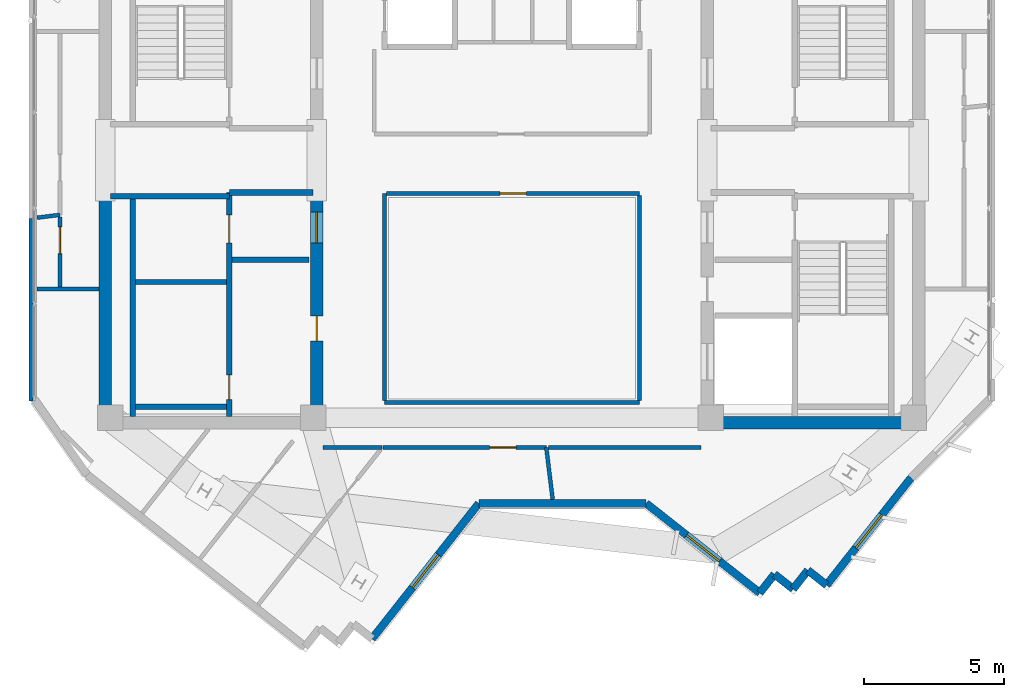
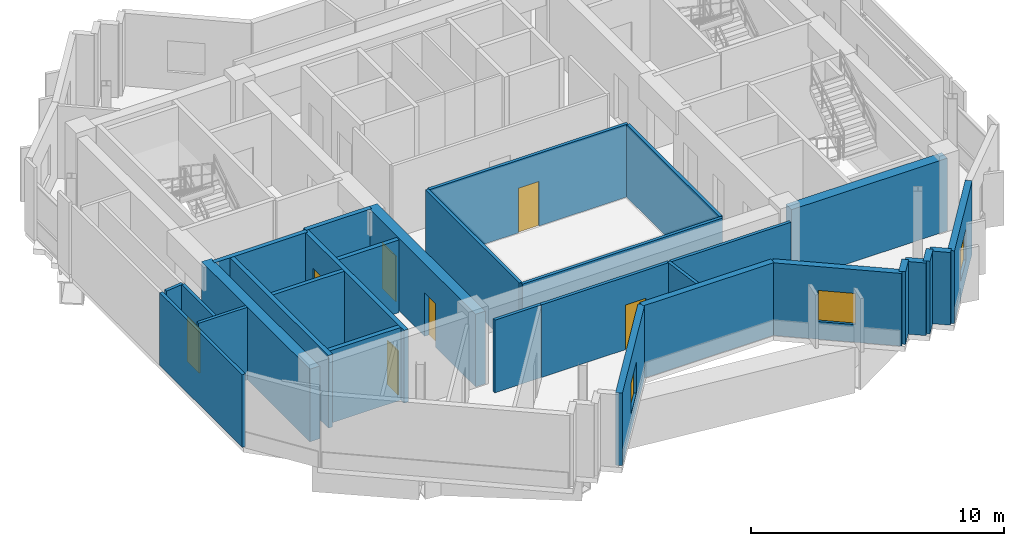
# One storey, part 5 of 10: 30 walls, 7 doors, 3 windows, 10 openings.
"""IFC4 building model written with IfcOpenShell, lengths in metres."""

import ifcopenshell
import ifcopenshell.guid

model = None  # the IFC model being written
_history = None  # IfcOwnerHistory: only IFC2X3 demands one
_inside = {}  # id of a spatial element -> (the spatial element, [elements in it])
_under = {}  # id of a project, library or spatial element -> (it, [spatial elements below it])
_declared = {}  # id of a project -> (the project, [libraries it declares])
_typed = {}  # id of a type object -> (the type object, [elements of that type])
_made_of = {}  # id of a material, layer set ... -> (it, [elements and type objects made of it])


def new_model(schema):
    """Start an empty IFC model of exactly this schema.

    Asked for "IFC4X3", IfcOpenShell would pick the latest addendum, in which some entities
    have other attributes; the version numbers below select the first issue.
    IFC2X3 requires an IfcOwnerHistory on every rooted entity: one is made here for all.
    """
    global model, _history
    if schema == "IFC4X3":
        model = ifcopenshell.file(schema_version=(4, 3, 0, 0))
    else:
        model = ifcopenshell.file(schema=schema)
    _inside.clear()
    _under.clear()
    _declared.clear()
    _typed.clear()
    _made_of.clear()
    _history = None
    if model.schema == "IFC2X3":
        org = make("IfcOrganization", Name="unknown")
        user = make(
            "IfcPersonAndOrganization",
            ThePerson=make("IfcPerson", FamilyName="unknown"),
            TheOrganization=org,
        )
        app = make(
            "IfcApplication",
            ApplicationDeveloper=org,
            Version="unknown",
            ApplicationFullName="unknown",
            ApplicationIdentifier="unknown",
        )
        _history = make(
            "IfcOwnerHistory",
            OwningUser=user,
            OwningApplication=app,
            ChangeAction="ADDED",
            CreationDate=0,
        )
    return model


def make(cls, **values):
    """One entity of the class cls with the attributes given. An attribute that is None is left unset."""
    return model.create_entity(
        cls, **{name: value for name, value in values.items() if value is not None}
    )


def rooted(cls, **values):
    """An entity with a GlobalId (a new one), such as an element, a storey or a relation."""
    return make(cls, GlobalId=ifcopenshell.guid.new(), OwnerHistory=_history, **values)


def si_unit(unit_type, name, prefix=None):
    """IfcSIUnit, for example si_unit("LENGTHUNIT", "METRE", prefix="MILLI")."""
    return make("IfcSIUnit", UnitType=unit_type, Prefix=prefix, Name=name)


def assignment(units):
    """IfcUnitAssignment: the units of a project."""
    return None if units is None else make("IfcUnitAssignment", Units=units)


def point(xyz):
    """IfcCartesianPoint."""
    return None if xyz is None else make("IfcCartesianPoint", Coordinates=xyz)


def direction(xyz):
    """IfcDirection."""
    return None if xyz is None else make("IfcDirection", DirectionRatios=xyz)


def frame(location, z_axis=None, x_axis=None):
    """IfcAxis2Placement3D, a coordinate frame: its origin and axes. An axis left out is left unset."""
    return make(
        "IfcAxis2Placement3D",
        Location=point(location),
        Axis=direction(z_axis),
        RefDirection=direction(x_axis),
    )


def frame_2d(location, x_axis=None):
    """IfcAxis2Placement2D, a coordinate frame in the plane: its origin and x axis."""
    return make(
        "IfcAxis2Placement2D", Location=point(location), RefDirection=direction(x_axis)
    )


def origin():
    """The frame at (0, 0, 0) with its axes left unset."""
    return frame((0.0, 0.0, 0.0))


def place(relative_to, where):
    """IfcLocalPlacement: puts the frame where relative to a parent placement (None: the world)."""
    return make(
        "IfcLocalPlacement", PlacementRelTo=relative_to, RelativePlacement=where
    )


def context(
    kind, dimensions, precision=None, world=None, true_north=None, identifier=None
):
    """IfcGeometricRepresentationContext, for example the 3D "Model" context."""
    return make(
        "IfcGeometricRepresentationContext",
        ContextIdentifier=identifier,
        ContextType=kind,
        CoordinateSpaceDimension=dimensions,
        Precision=precision,
        WorldCoordinateSystem=world,
        TrueNorth=true_north,
    )


def subcontext(parent, identifier, kind, view, scale=None):
    """IfcGeometricRepresentationSubContext, for example "Body" below "Model"."""
    return make(
        "IfcGeometricRepresentationSubContext",
        ContextIdentifier=identifier,
        ContextType=kind,
        ParentContext=parent,
        TargetScale=scale,
        TargetView=view,
    )


def project(units=None, contexts=None):
    """IfcProject with its units and contexts."""
    return rooted(
        "IfcProject",
        Name="project",
        RepresentationContexts=contexts,
        UnitsInContext=assignment(units),
    )


def spatial(cls, under=None, at=None, **own):
    """A site, building, storey or space (cls), placed at a placement, below another one or the project."""
    s = rooted(cls, ObjectPlacement=at, **own)
    if under is not None:
        _under.setdefault(under.id(), (under, []))[1].append(s)
    return s


def profile(cls, at=None, kind="AREA", **sizes):
    """A parametric profile (cls). Its sizes go by their IFC names, for example OverallWidth=200.0."""
    return make(cls, ProfileType=kind, Position=at, **sizes)


def rectangle(**sizes):
    """IfcRectangleProfileDef."""
    return profile("IfcRectangleProfileDef", **sizes)


def extrude(swept, where, along, depth):
    """IfcExtrudedAreaSolid: the profile swept, set in the frame where, extruded along a direction by depth."""
    return make(
        "IfcExtrudedAreaSolid",
        SweptArea=swept,
        Position=where,
        ExtrudedDirection=direction(along),
        Depth=depth,
    )


def shape(context_of_items, identifier, shape_type, items):
    """IfcShapeRepresentation: the items that make up one representation, for example the "Body"."""
    return make(
        "IfcShapeRepresentation",
        ContextOfItems=context_of_items,
        RepresentationIdentifier=identifier,
        RepresentationType=shape_type,
        Items=items,
    )


def source(mapping_origin, context_of_items, identifier, shape_type, items):
    """IfcRepresentationMap: a shape defined once, which mapped items show again and again."""
    return make(
        "IfcRepresentationMap",
        MappingOrigin=mapping_origin,
        MappedRepresentation=shape(context_of_items, identifier, shape_type, items),
    )


def transform(
    local_origin,
    x_axis=None,
    y_axis=None,
    z_axis=None,
    scale=None,
    scale2=None,
    scale3=None,
    uniform=True,
):
    """IfcCartesianTransformationOperator3D, or its non-uniform kind. x_axis, y_axis, z_axis: its Axis1, 2, 3."""
    if uniform:
        return make(
            "IfcCartesianTransformationOperator3D",
            Axis1=direction(x_axis),
            Axis2=direction(y_axis),
            LocalOrigin=point(local_origin),
            Scale=scale,
            Axis3=direction(z_axis),
        )
    return make(
        "IfcCartesianTransformationOperator3DnonUniform",
        Axis1=direction(x_axis),
        Axis2=direction(y_axis),
        LocalOrigin=point(local_origin),
        Scale=scale,
        Axis3=direction(z_axis),
        Scale2=scale2,
        Scale3=scale3,
    )


def mapped(mapping_source, mapping_target):
    """IfcMappedItem: shows the shape of a source again, moved by a transform."""
    return make(
        "IfcMappedItem", MappingSource=mapping_source, MappingTarget=mapping_target
    )


def material(Name=None, Category=None):
    """IfcMaterial."""
    return make("IfcMaterial", Name=Name, Category=Category)


def layer(
    of_material, thickness, ventilated=None, Name=None, Category=None, Priority=None
):
    """IfcMaterialLayer: one layer of a wall or slab, of a material (None: an air gap)."""
    return make(
        "IfcMaterialLayer",
        Material=of_material,
        LayerThickness=thickness,
        IsVentilated=ventilated,
        Name=Name,
        Category=Category,
        Priority=Priority,
    )


def layer_set(layers, Name=None):
    """IfcMaterialLayerSet."""
    return make("IfcMaterialLayerSet", MaterialLayers=layers, LayerSetName=Name)


def made_of(thing, what):
    """Note that an element or type object is made of a material, layer set ...; save() writes the relation."""
    if what is not None:
        _made_of.setdefault(what.id(), (what, []))[1].append(thing)
    return thing


def type_object(cls, material=None, **own):
    """A type object (cls), such as IfcWallType, which elements share."""
    return made_of(rooted(cls, **own), material)


def element(
    cls,
    number,
    at=None,
    inside=None,
    cuts=None,
    type_object=None,
    material=None,
    context=None,
    identifier="Body",
    shape_type=None,
    held_by="IfcProductDefinitionShape",
    body=None,
    shapes=None,
    **own,
):
    """One element of the class cls, such as IfcWall. Its Tag is "e" and its number.

    at: its placement. inside: the storey or other place that contains it. cuts: it is an
    opening in that element (IfcRelVoidsElement). A single representation is given by context,
    identifier, shape_type and body (its items); several are given by shapes. held_by: the class
    of the entity that holds the representations. save() writes the other relations.
    """
    e = rooted(cls, Tag="e%d" % number, ObjectPlacement=at, **own)
    if body is not None:
        shapes = [shape(context, identifier, shape_type, body)]
    if shapes is not None:
        e.Representation = make(held_by, Representations=shapes)
    if inside is not None:
        _inside.setdefault(inside.id(), (inside, []))[1].append(e)
    if cuts is not None:
        rooted(
            "IfcRelVoidsElement", RelatingBuildingElement=cuts, RelatedOpeningElement=e
        )
    if type_object is not None:
        _typed.setdefault(type_object.id(), (type_object, []))[1].append(e)
    return made_of(e, material)


def fill(opening, filler):
    """IfcRelFillsElement: the door or window that sits in an opening."""
    return rooted(
        "IfcRelFillsElement",
        RelatingOpeningElement=opening,
        RelatedBuildingElement=filler,
    )


def aggregate(whole, parts):
    """IfcRelAggregates: a whole, such as a stair, and the parts it consists of."""
    return rooted("IfcRelAggregates", RelatingObject=whole, RelatedObjects=parts)


def save(model, path):
    """Write the relations noted so far, then the file.

    IfcRelAggregates (storeys below a building ...), IfcRelContainedInSpatialStructure (elements
    in a storey), IfcRelDefinesByType, IfcRelAssociatesMaterial and IfcRelDeclares: one each for
    every whole, place, type object, material and project.
    """
    for whole, parts in _under.values():
        aggregate(whole, parts)
    for where, things in _inside.values():
        rooted(
            "IfcRelContainedInSpatialStructure",
            RelatedElements=things,
            RelatingStructure=where,
        )
    for kind, things in _typed.values():
        rooted("IfcRelDefinesByType", RelatedObjects=things, RelatingType=kind)
    for what, things in _made_of.values():
        rooted("IfcRelAssociatesMaterial", RelatedObjects=things, RelatingMaterial=what)
    for by, libraries in _declared.values():
        rooted("IfcRelDeclares", RelatingContext=by, RelatedDefinitions=libraries)
    model.write(path)


model = new_model("IFC4")

# Units and contexts
model_context = context("Model", 3, precision=1e-05, world=origin(), true_north=direction((0.0, 1.0)))
body_context = subcontext(model_context, "Body", "Model", "MODEL_VIEW")
ifc_project = project(units=[si_unit("LENGTHUNIT", "METRE"), si_unit("AREAUNIT", "SQUARE_METRE"), si_unit("VOLUMEUNIT", "CUBIC_METRE"), si_unit("PLANEANGLEUNIT", "RADIAN"), si_unit("MASSUNIT", "GRAM", prefix="KILO")], contexts=[model_context])

# Site, building, storey
site_placement = place(None, origin())
site = spatial("IfcSite", under=ifc_project, at=site_placement, CompositionType="ELEMENT")
building_placement = place(site_placement, origin())
building = spatial("IfcBuilding", under=site, at=building_placement, Name="Zahravan Cultural Tower", CompositionType="ELEMENT")
storey_placement = place(building_placement, frame((0.0, 0.0, 319.800048828125)))
storey = spatial("IfcBuildingStorey", under=building, at=storey_placement, Name="L77", CompositionType="ELEMENT", Elevation=319.800048828125)

# Wall, openings, doors
ifc_material_1 = material(Name="Concrete C50/60", Category="concrete")
ifc_layer_1 = layer(ifc_material_1, 0.449951171875)
ifc_layer_set_1 = layer_set([ifc_layer_1], Name="Concrete C50/60")
wall_type_1 = type_object("IfcWallType", Name="CW-SHEAR-450-C50", PredefinedType="SHEAR", material=ifc_layer_set_1)
wall_1_placement = place(storey_placement, frame((29.02490234375, 17.39990234375, 0.0), z_axis=(0.0, 0.0, 1.0), x_axis=(0.0, 1.0, 0.0)))
wall_1 = element("IfcWall", 1, at=wall_1_placement, inside=storey, type_object=wall_type_1, Name="L77 Core Shear Wall CW-W-ES-L77", PredefinedType="SHEAR", context=body_context, shape_type="SweptSolid", body=[
    extrude(rectangle(XDim=8.550048828125, YDim=0.449951171875, at=frame_2d((4.27490234375, 0.0))), origin(), (0.0, 0.0, 1.0), 3.5),
])
opening_1_placement = place(wall_1_placement, frame((6.64990234375, 0.0, 0.0)))
opening_1 = element("IfcOpeningElement", 2, at=opening_1_placement, cuts=wall_1, Name="Opening D-L77-08", PredefinedType="OPENING", context=body_context, shape_type="SweptSolid", body=[
    extrude(rectangle(XDim=1.10009765625, YDim=2.199951171875, at=frame_2d((0.550048828125, 1.10009765625))), frame((0.0, 0.23486328125, 0.0), z_axis=(0.0, -1.0, 0.0), x_axis=(1.0, 0.0, 0.0)), (0.0, 0.0, 1.0), 0.469970703125),
])
opening_2_placement = place(wall_1_placement, frame((3.14990234375, 0.0, 0.0)))
opening_2 = element("IfcOpeningElement", 3, at=opening_2_placement, cuts=wall_1, Name="Opening D-L77-10", PredefinedType="OPENING", context=body_context, shape_type="SweptSolid", body=[
    extrude(rectangle(XDim=0.8798828125, YDim=2.10009765625, at=frame_2d((0.43994140625, 1.050048828125))), frame((0.0, 0.23486328125, 0.0), z_axis=(0.0, -1.0, 0.0), x_axis=(1.0, 0.0, 0.0)), (0.0, 0.0, 1.0), 0.469970703125),
])
ifc_material_2 = material(Name="Steel ASTM A572 Grade 50", Category="steel")
door_type_1 = type_object("IfcDoorType", Name="DR-LOBBY-1100", OperationType="NOTDEFINED", PredefinedType="DOOR", material=ifc_material_2)
shared_shape_1 = source(origin(), body_context, "Body", "SweptSolid", [
    extrude(rectangle(XDim=1.10009765625, YDim=2.199951171875, at=frame_2d((0.550048828125, 1.10009765625))), frame((0.0, 0.02490234375, 0.0), z_axis=(0.0, -1.0, 0.0), x_axis=(1.0, 0.0, 0.0)), (0.0, 0.0, 1.0), 0.050048828125),
])
door_1_placement = place(opening_1_placement, origin())
door_1 = element("IfcDoor", 4, at=door_1_placement, inside=storey, type_object=door_type_1, Name="L77 Door D-L77-08", OperationType="SINGLE_SWING_RIGHT", OverallHeight=2.199951171875, OverallWidth=1.10009765625, PredefinedType="DOOR", context=body_context, shape_type="MappedRepresentation", body=[
    mapped(shared_shape_1, transform((0.0, 0.0, 0.0), x_axis=(1.0, 0.0, 0.0), y_axis=(0.0, 1.0, 0.0), z_axis=(0.0, 0.0, 1.0), scale=1.0)),
])
fill(opening_1, door_1)
door_type_2 = type_object("IfcDoorType", Name="DR-SVC-880", OperationType="NOTDEFINED", PredefinedType="DOOR", material=ifc_material_2)
shared_shape_2 = source(origin(), body_context, "Body", "SweptSolid", [
    extrude(rectangle(XDim=0.8798828125, YDim=2.10009765625, at=frame_2d((0.43994140625, 1.050048828125))), frame((0.0, 0.02490234375, 0.0), z_axis=(0.0, -1.0, 0.0), x_axis=(1.0, 0.0, 0.0)), (0.0, 0.0, 1.0), 0.050048828125),
])
door_2_placement = place(opening_2_placement, origin())
door_2 = element("IfcDoor", 5, at=door_2_placement, inside=storey, type_object=door_type_2, Name="L77 Door D-L77-10", OperationType="SINGLE_SWING_RIGHT", OverallHeight=2.10009765625, OverallWidth=0.8798828125, PredefinedType="DOOR", context=body_context, shape_type="MappedRepresentation", body=[
    mapped(shared_shape_2, transform((0.0, 0.0, 0.0), x_axis=(1.0, 0.0, 0.0), y_axis=(0.0, 1.0, 0.0), z_axis=(0.0, 0.0, 1.0), scale=1.0)),
])
fill(opening_2, door_2)

# Wall, opening, window
ifc_material_3 = material(Name="Precast concrete C40/50", Category="concrete")
ifc_layer_2 = layer(ifc_material_3, 0.280029296875)
ifc_layer_set_2 = layer_set([ifc_layer_2], Name="Precast concrete C40/50")
wall_type_2 = type_object("IfcWallType", Name="EW-TC-280", PredefinedType="SOLIDWALL", material=ifc_layer_set_2)
wall_2_placement = place(storey_placement, frame((50.257568359375, 15.655517578125, 0.0), z_axis=(0.0, 0.0, 1.0), x_axis=(-0.619093990715, -0.785316898239, 0.0)))
wall_2 = element("IfcWall", 6, at=wall_2_placement, inside=storey, type_object=wall_type_2, Name="L77 Exterior Masonry Frame Wall 17", PredefinedType="SOLIDWALL", context=body_context, shape_type="SweptSolid", body=[
    extrude(rectangle(XDim=4.877685546875, YDim=0.280029296875, at=frame_2d((2.43896484375, 0.0))), origin(), (0.0, 0.0, 1.0), 3.5),
])
opening_3_placement = place(wall_2_placement, frame((1.68896484375, 0.0, 0.85009765625)))
opening_3 = element("IfcOpeningElement", 7, at=opening_3_placement, cuts=wall_2, Name="Opening WN-03", PredefinedType="OPENING", context=body_context, shape_type="SweptSolid", body=[
    extrude(rectangle(XDim=1.5, YDim=1.5, at=frame_2d((0.75, 0.75))), frame((0.0, 0.14990234375, 0.0), z_axis=(0.0, -1.0, 0.0), x_axis=(1.0, 0.0, 0.0)), (0.0, 0.0, 1.0), 0.300048828125),
])
ifc_material_4 = material(Name="Low-E solar-control double glazing", Category="glass")
window_type = type_object("IfcWindowType", Name="WN-REC-1500X1500", PartitioningType="SINGLE_PANEL", PredefinedType="WINDOW", material=ifc_material_4)
shared_shape_3 = source(origin(), body_context, "Body", "SweptSolid", [
    extrude(rectangle(XDim=1.5, YDim=1.5, at=frame_2d((0.75, 0.75))), frame((0.0, 0.030029296875, 0.0), z_axis=(0.0, -1.0, 0.0), x_axis=(1.0, 0.0, 0.0)), (0.0, 0.0, 1.0), 0.06005859375),
])
window_1_placement = place(opening_3_placement, origin())
window_1 = element("IfcWindow", 8, at=window_1_placement, inside=storey, type_object=window_type, Name="L77 Recessed Solar Window 06", OverallHeight=1.5, OverallWidth=1.5, PartitioningType="SINGLE_PANEL", PredefinedType="WINDOW", context=body_context, shape_type="MappedRepresentation", body=[
    mapped(shared_shape_3, transform((0.0, 0.0, 0.0), x_axis=(1.0, 0.0, 0.0), y_axis=(0.0, 1.0, 0.0), z_axis=(0.0, 0.0, 1.0), scale=1.0)),
])
fill(opening_3, window_1)

wall_3_placement = place(storey_placement, frame((44.85009765625, 11.542236328125, 0.0), z_axis=(0.0, 0.0, 1.0), x_axis=(-0.78530363687, 0.61911081231, 0.0)))
wall_3 = element("IfcWall", 9, at=wall_3_placement, inside=storey, type_object=wall_type_2, Name="L77 Exterior Masonry Frame Wall 22", PredefinedType="SOLIDWALL", context=body_context, shape_type="SweptSolid", body=[
    extrude(rectangle(XDim=5.1650390625, YDim=0.280029296875, at=frame_2d((2.58251953125, 0.0))), origin(), (0.0, 0.0, 1.0), 3.5),
])
opening_4_placement = place(wall_3_placement, frame((1.8330078125, 0.0, 0.85009765625)))
opening_4 = element("IfcOpeningElement", 10, at=opening_4_placement, cuts=wall_3, Name="Opening WN-03", PredefinedType="OPENING", context=body_context, shape_type="SweptSolid", body=[
    extrude(rectangle(XDim=1.5, YDim=1.5, at=frame_2d((0.75, 0.75))), frame((0.0, 0.14990234375, 0.0), z_axis=(0.0, -1.0, 0.0), x_axis=(1.0, 0.0, 0.0)), (0.0, 0.0, 1.0), 0.300048828125),
])
window_2_placement = place(opening_4_placement, origin())
window_2 = element("IfcWindow", 11, at=window_2_placement, inside=storey, type_object=window_type, Name="L77 Recessed Solar Window 07", OverallHeight=1.5, OverallWidth=1.5, PartitioningType="SINGLE_PANEL", PredefinedType="WINDOW", context=body_context, shape_type="MappedRepresentation", body=[
    mapped(shared_shape_3, transform((0.0, 0.0, 0.0), x_axis=(1.0, 0.0, 0.0), y_axis=(0.0, 1.0, 0.0), z_axis=(0.0, 0.0, 1.0), scale=1.0)),
])
fill(opening_4, window_2)

wall_4_placement = place(storey_placement, frame((34.815673828125, 14.739990234375, 0.0), z_axis=(0.0, 0.0, 1.0), x_axis=(-0.619100474058, -0.78531178714, 0.0)))
wall_4 = element("IfcWall", 12, at=wall_4_placement, inside=storey, type_object=wall_type_2, Name="L77 Exterior Masonry Frame Wall 24", PredefinedType="SOLIDWALL", context=body_context, shape_type="SweptSolid", body=[
    extrude(rectangle(XDim=6.158935546875, YDim=0.280029296875, at=frame_2d((3.07958984375, 0.0))), origin(), (0.0, 0.0, 1.0), 3.5),
])
opening_5_placement = place(wall_4_placement, frame((2.3291015625, 0.0, 0.85009765625)))
opening_5 = element("IfcOpeningElement", 13, at=opening_5_placement, cuts=wall_4, Name="Opening WN-03", PredefinedType="OPENING", context=body_context, shape_type="SweptSolid", body=[
    extrude(rectangle(XDim=1.5, YDim=1.5, at=frame_2d((0.75, 0.75))), frame((0.0, 0.14990234375, 0.0), z_axis=(0.0, -1.0, 0.0), x_axis=(1.0, 0.0, 0.0)), (0.0, 0.0, 1.0), 0.300048828125),
])
window_3_placement = place(opening_5_placement, origin())
window_3 = element("IfcWindow", 14, at=window_3_placement, inside=storey, type_object=window_type, Name="L77 Recessed Solar Window 08", OverallHeight=1.5, OverallWidth=1.5, PartitioningType="SINGLE_PANEL", PredefinedType="WINDOW", context=body_context, shape_type="MappedRepresentation", body=[
    mapped(shared_shape_3, transform((0.0, 0.0, 0.0), x_axis=(1.0, 0.0, 0.0), y_axis=(0.0, 1.0, 0.0), z_axis=(0.0, 0.0, 1.0), scale=1.0)),
])
fill(opening_5, window_3)

# Wall, opening, door
ifc_material_5 = material(Name="Gypsum plasterboard partition")
ifc_layer_3 = layer(ifc_material_5, 0.139892578125)
ifc_layer_set_3 = layer_set([ifc_layer_3], Name="Gypsum plasterboard partition")
wall_type_3 = type_object("IfcWallType", Name="W-PART-140", PredefinedType="PARTITIONING", material=ifc_layer_set_3)
wall_5_placement = place(storey_placement, frame((19.85009765625, 24.974609375, 0.0), z_axis=(0.0, 0.0, 1.0), x_axis=(0.000379434615, -0.999999928015, 0.0)))
wall_5 = element("IfcWall", 15, at=wall_5_placement, inside=storey, type_object=wall_type_3, Name="L77 Interior Wall 064", PredefinedType="PARTITIONING", context=body_context, shape_type="SweptSolid", body=[
    extrude(rectangle(XDim=2.57373046875, YDim=0.139892578125, at=frame_2d((1.286865234375, 0.0))), origin(), (0.0, 0.0, 1.0), 3.5),
])
opening_6_placement = place(wall_5_placement, frame((0.357177734375, 0.0, 0.0)))
opening_6 = element("IfcOpeningElement", 16, at=opening_6_placement, cuts=wall_5, Name="Opening D-L77-21", PredefinedType="OPENING", context=body_context, shape_type="SweptSolid", body=[
    extrude(rectangle(XDim=0.949951171875, YDim=2.14990234375, at=frame_2d((0.47509765625, 1.074951171875))), frame((0.0, 0.079833984375, 0.0), z_axis=(0.0, -1.0, 0.0), x_axis=(1.0, 0.0, 0.0)), (0.0, 0.0, 1.0), 0.159912109375),
])
ifc_material_6 = material(Name="Anodised bronze-aluminium mullion", Category="aluminium")
door_type_3 = type_object("IfcDoorType", Name="DR-ROOM-950", OperationType="NOTDEFINED", PredefinedType="DOOR", material=ifc_material_6)
shared_shape_4 = source(origin(), body_context, "Body", "SweptSolid", [
    extrude(rectangle(XDim=0.949951171875, YDim=2.14990234375, at=frame_2d((0.47509765625, 1.074951171875))), frame((0.0, 0.02490234375, 0.0), z_axis=(0.0, -1.0, 0.0), x_axis=(1.0, 0.0, 0.0)), (0.0, 0.0, 1.0), 0.050048828125),
])
door_3_placement = place(opening_6_placement, origin())
door_3 = element("IfcDoor", 17, at=door_3_placement, inside=storey, type_object=door_type_3, Name="L77 Door D-L77-21", OperationType="SINGLE_SWING_LEFT", OverallHeight=2.14990234375, OverallWidth=0.949951171875, PredefinedType="DOOR", context=body_context, shape_type="MappedRepresentation", body=[
    mapped(shared_shape_4, transform((0.0, 0.0, 0.0), x_axis=(1.0, 0.0, 0.0), y_axis=(0.0, 1.0, 0.0), z_axis=(0.0, 0.0, 1.0), scale=1.0)),
])
fill(opening_6, door_3)

wall_6_placement = place(storey_placement, frame((31.387939453125, 16.739990234375, 0.0), z_axis=(0.0, 0.0, 1.0), x_axis=(1.0, 0.0, 0.0)))
wall_6 = element("IfcWall", 18, at=wall_6_placement, inside=storey, type_object=wall_type_3, Name="L77 Interior Wall 078", PredefinedType="PARTITIONING", context=body_context, shape_type="SweptSolid", body=[
    extrude(rectangle(XDim=5.836669921875, YDim=0.139892578125, at=frame_2d((2.91845703125, 0.0))), origin(), (0.0, 0.0, 1.0), 3.5),
])
opening_7_placement = place(wall_6_placement, frame((3.8115234375, 0.0, 0.0)))
opening_7 = element("IfcOpeningElement", 19, at=opening_7_placement, cuts=wall_6, Name="Opening D-L77-22", PredefinedType="OPENING", context=body_context, shape_type="SweptSolid", body=[
    extrude(rectangle(XDim=0.949951171875, YDim=2.14990234375, at=frame_2d((0.47509765625, 1.074951171875))), frame((0.0, 0.079833984375, 0.0), z_axis=(0.0, -1.0, 0.0), x_axis=(1.0, 0.0, 0.0)), (0.0, 0.0, 1.0), 0.159912109375),
])
door_4_placement = place(opening_7_placement, origin())
door_4 = element("IfcDoor", 20, at=door_4_placement, inside=storey, type_object=door_type_3, Name="L77 Door D-L77-22", OperationType="SINGLE_SWING_RIGHT", OverallHeight=2.14990234375, OverallWidth=0.949951171875, PredefinedType="DOOR", context=body_context, shape_type="MappedRepresentation", body=[
    mapped(shared_shape_4, transform((0.0, 0.0, 0.0), x_axis=(1.0, 0.0, 0.0), y_axis=(0.0, 1.0, 0.0), z_axis=(0.0, 0.0, 1.0), scale=1.0)),
])
fill(opening_7, door_4)

wall_7_placement = place(storey_placement, frame((31.514892578125, 25.81005859375, 0.0), z_axis=(0.0, 0.0, 1.0), x_axis=(1.0, 0.0, 0.0)))
wall_7 = element("IfcWall", 21, at=wall_7_placement, inside=storey, type_object=wall_type_3, Name="L77 Interior Wall 089", PredefinedType="PARTITIONING", context=body_context, shape_type="SweptSolid", body=[
    extrude(rectangle(XDim=9.045166015625, YDim=0.139892578125, at=frame_2d((4.5224609375, 0.0))), origin(), (0.0, 0.0, 1.0), 3.5),
])
opening_8_placement = place(wall_7_placement, frame((4.047607421875, 0.0, 0.0)))
opening_8 = element("IfcOpeningElement", 22, at=opening_8_placement, cuts=wall_7, Name="Opening D-L77-12", PredefinedType="OPENING", context=body_context, shape_type="SweptSolid", body=[
    extrude(rectangle(XDim=0.949951171875, YDim=2.14990234375, at=frame_2d((0.47509765625, 1.074951171875))), frame((0.0, 0.079833984375, 0.0), z_axis=(0.0, -1.0, 0.0), x_axis=(1.0, 0.0, 0.0)), (0.0, 0.0, 1.0), 0.159912109375),
])
door_5_placement = place(opening_8_placement, origin())
door_5 = element("IfcDoor", 23, at=door_5_placement, inside=storey, type_object=door_type_3, Name="L77 Door D-L77-12", OperationType="SINGLE_SWING_RIGHT", OverallHeight=2.14990234375, OverallWidth=0.949951171875, PredefinedType="DOOR", context=body_context, shape_type="MappedRepresentation", body=[
    mapped(shared_shape_4, transform((0.0, 0.0, 0.0), x_axis=(1.0, 0.0, 0.0), y_axis=(0.0, 1.0, 0.0), z_axis=(0.0, 0.0, 1.0), scale=1.0)),
])
fill(opening_8, door_5)

# Wall, openings, doors
ifc_material_7 = material(Name="Concrete C45/55", Category="concrete")
ifc_layer_4 = layer(ifc_material_7, 0.199951171875)
ifc_layer_set_4 = layer_set([ifc_layer_4], Name="Concrete C45/55")
wall_type_4 = type_object("IfcWallType", Name="W-SHAFT-200", PredefinedType="SOLIDWALL", material=ifc_layer_set_4)
wall_8_placement = place(storey_placement, frame((25.89990234375, 17.85009765625, 0.0), z_axis=(0.0, 0.0, 1.0), x_axis=(0.0, 1.0, 0.0)))
wall_8 = element("IfcWall", 24, at=wall_8_placement, inside=storey, type_object=wall_type_4, Name="L77 Interior Wall 005", PredefinedType="SOLIDWALL", context=body_context, shape_type="SweptSolid", body=[
    extrude(rectangle(XDim=8.0, YDim=0.199951171875, at=frame_2d((4.0, 0.0))), origin(), (0.0, 0.0, 1.0), 3.5),
])
opening_9_placement = place(wall_8_placement, frame((6.199951171875, 0.0, 0.0)))
opening_9 = element("IfcOpeningElement", 25, at=opening_9_placement, cuts=wall_8, Name="Opening D-L77-04", PredefinedType="OPENING", context=body_context, shape_type="SweptSolid", body=[
    extrude(rectangle(XDim=1.0, YDim=2.14990234375, at=frame_2d((0.5, 1.074951171875))), frame((0.0, 0.10986328125, 0.0), z_axis=(0.0, -1.0, 0.0), x_axis=(1.0, 0.0, 0.0)), (0.0, 0.0, 1.0), 0.219970703125),
])
opening_10_placement = place(wall_8_placement, frame((0.60009765625, 0.0, 0.0)))
opening_10 = element("IfcOpeningElement", 26, at=opening_10_placement, cuts=wall_8, Name="Opening D-L77-05", PredefinedType="OPENING", context=body_context, shape_type="SweptSolid", body=[
    extrude(rectangle(XDim=0.8798828125, YDim=2.10009765625, at=frame_2d((0.43994140625, 1.050048828125))), frame((0.0, 0.10986328125, 0.0), z_axis=(0.0, -1.0, 0.0), x_axis=(1.0, 0.0, 0.0)), (0.0, 0.0, 1.0), 0.219970703125),
])
door_6_placement = place(opening_10_placement, origin())
door_6 = element("IfcDoor", 27, at=door_6_placement, inside=storey, type_object=door_type_2, Name="L77 Door D-L77-05", OperationType="SINGLE_SWING_LEFT", OverallHeight=2.10009765625, OverallWidth=0.8798828125, PredefinedType="DOOR", context=body_context, shape_type="MappedRepresentation", body=[
    mapped(shared_shape_2, transform((0.0, 0.0, 0.0), x_axis=(1.0, 0.0, 0.0), y_axis=(0.0, 1.0, 0.0), z_axis=(0.0, 0.0, 1.0), scale=1.0)),
])
fill(opening_10, door_6)
door_type_4 = type_object("IfcDoorType", Name="DR-COMP-1000", OperationType="NOTDEFINED", PredefinedType="DOOR", material=ifc_material_2)
shared_shape_5 = source(origin(), body_context, "Body", "SweptSolid", [
    extrude(rectangle(XDim=1.0, YDim=2.14990234375, at=frame_2d((0.5, 1.074951171875))), frame((0.0, 0.02490234375, 0.0), z_axis=(0.0, -1.0, 0.0), x_axis=(1.0, 0.0, 0.0)), (0.0, 0.0, 1.0), 0.050048828125),
])
door_7_placement = place(opening_9_placement, origin())
door_7 = element("IfcDoor", 28, at=door_7_placement, inside=storey, type_object=door_type_4, Name="L77 Door D-L77-04", OperationType="SINGLE_SWING_RIGHT", OverallHeight=2.14990234375, OverallWidth=1.0, PredefinedType="DOOR", context=body_context, shape_type="MappedRepresentation", body=[
    mapped(shared_shape_5, transform((0.0, 0.0, 0.0), x_axis=(1.0, 0.0, 0.0), y_axis=(0.0, 1.0, 0.0), z_axis=(0.0, 0.0, 1.0), scale=1.0)),
])
fill(opening_9, door_7)

# Walls
shared_shape_6 = source(origin(), body_context, "Body", "SweptSolid", [
    extrude(rectangle(XDim=8.550048828125, YDim=0.449951171875, at=frame_2d((4.27490234375, 0.0))), origin(), (0.0, 0.0, 1.0), 3.5),
])
wall_9_placement = place(storey_placement, frame((21.47509765625, 17.39990234375, 0.0), z_axis=(0.0, 0.0, 1.0), x_axis=(0.0, 1.0, 0.0)))
element("IfcWall", 29, at=wall_9_placement, inside=storey, type_object=wall_type_1, Name="L77 Core Shear Wall CW-W-WS-L77", PredefinedType="SHEAR", context=body_context, shape_type="MappedRepresentation", body=[
    mapped(shared_shape_6, transform((0.0, 0.0, 0.0), x_axis=(1.0, 0.0, 0.0), y_axis=(0.0, 1.0, 0.0), z_axis=(0.0, 0.0, 1.0), scale=1.0)),
])
shared_shape_7 = source(origin(), body_context, "Body", "SweptSolid", [
    extrude(rectangle(XDim=7.10009765625, YDim=0.449951171875, at=frame_2d((3.550048828125, 0.0))), origin(), (0.0, 0.0, 1.0), 3.5),
])
wall_10_placement = place(storey_placement, frame((43.199951171875, 17.625, 0.0), z_axis=(0.0, 0.0, 1.0), x_axis=(1.0, 0.0, 0.0)))
element("IfcWall", 30, at=wall_10_placement, inside=storey, type_object=wall_type_1, Name="L77 Core Shear Wall CW-E-S-L77", PredefinedType="SHEAR", context=body_context, shape_type="MappedRepresentation", body=[
    mapped(shared_shape_7, transform((0.0, 0.0, 0.0), x_axis=(1.0, 0.0, 0.0), y_axis=(0.0, 1.0, 0.0), z_axis=(0.0, 0.0, 1.0), scale=1.0)),
])
shared_shape_8 = source(origin(), body_context, "Body", "SweptSolid", [
    extrude(rectangle(XDim=0.85009765625, YDim=0.280029296875, at=frame_2d((0.425048828125, 0.0))), origin(), (0.0, 0.0, 1.0), 3.5),
])
for number, where, z_axis, x_axis, name in (
    (31, (46.5703125, 12.35107421875, 0.0), (0.0, 0.0, 1.0), (-0.619215838066, -0.785220826193, 0.0), "L77 Exterior Masonry Frame Wall 19"),
    (32, (46.0439453125, 11.68359375, 0.0), (0.0, 0.0, 1.0), (-0.785220826193, 0.619215838066, 0.0), "L77 Exterior Masonry Frame Wall 20"),
):
    element("IfcWall", number, at=place(storey_placement, frame(where, z_axis=z_axis, x_axis=x_axis)), inside=storey, type_object=wall_type_2, Name=name, PredefinedType="SOLIDWALL", context=body_context, shape_type="MappedRepresentation", body=[
        mapped(shared_shape_8, transform((0.0, 0.0, 0.0), x_axis=(1.0, 0.0, 0.0), y_axis=(0.0, 1.0, 0.0), z_axis=(0.0, 0.0, 1.0), scale=1.0)),
    ])
shared_shape_9 = source(origin(), body_context, "Body", "SweptSolid", [
    extrude(rectangle(XDim=0.849853515625, YDim=0.280029296875, at=frame_2d((0.4248046875, 0.0))), origin(), (0.0, 0.0, 1.0), 3.5),
])
wall_11_placement = place(storey_placement, frame((47.23779296875, 11.824951171875, 0.0), z_axis=(0.0, 0.0, 1.0), x_axis=(-0.785360476625, 0.619038707801, 0.0)))
element("IfcWall", 33, at=wall_11_placement, inside=storey, type_object=wall_type_2, Name="L77 Exterior Masonry Frame Wall 18", PredefinedType="SOLIDWALL", context=body_context, shape_type="MappedRepresentation", body=[
    mapped(shared_shape_9, transform((0.0, 0.0, 0.0), x_axis=(1.0, 0.0, 0.0), y_axis=(0.0, 1.0, 0.0), z_axis=(0.0, 0.0, 1.0), scale=1.0)),
])
shared_shape_10 = source(origin(), body_context, "Body", "SweptSolid", [
    extrude(rectangle(XDim=0.850341796875, YDim=0.280029296875, at=frame_2d((0.42529296875, 0.0))), origin(), (0.0, 0.0, 1.0), 3.5),
])
wall_12_placement = place(storey_placement, frame((45.37646484375, 12.2099609375, 0.0), z_axis=(0.0, 0.0, 1.0), x_axis=(-0.619076214196, -0.785330911793, 0.0)))
element("IfcWall", 34, at=wall_12_placement, inside=storey, type_object=wall_type_2, Name="L77 Exterior Masonry Frame Wall 21", PredefinedType="SOLIDWALL", context=body_context, shape_type="MappedRepresentation", body=[
    mapped(shared_shape_10, transform((0.0, 0.0, 0.0), x_axis=(1.0, 0.0, 0.0), y_axis=(0.0, 1.0, 0.0), z_axis=(0.0, 0.0, 1.0), scale=1.0)),
])
shared_shape_11 = source(origin(), body_context, "Body", "SweptSolid", [
    extrude(rectangle(XDim=5.978271484375, YDim=0.280029296875, at=frame_2d((2.9892578125, 0.0))), origin(), (0.0, 0.0, 1.0), 3.5),
])
wall_13_placement = place(storey_placement, frame((40.7939453125, 14.739990234375, 0.0), z_axis=(0.0, 0.0, 1.0), x_axis=(-1.0, 0.0, 0.0)))
element("IfcWall", 35, at=wall_13_placement, inside=storey, type_object=wall_type_2, Name="L77 Exterior Masonry Frame Wall 23", PredefinedType="SOLIDWALL", context=body_context, shape_type="MappedRepresentation", body=[
    mapped(shared_shape_11, transform((0.0, 0.0, 0.0), x_axis=(1.0, 0.0, 0.0), y_axis=(0.0, 1.0, 0.0), z_axis=(0.0, 0.0, 1.0), scale=1.0)),
])
shared_shape_12 = source(origin(), body_context, "Body", "SweptSolid", [
    extrude(rectangle(XDim=7.869873046875, YDim=0.199951171875, at=frame_2d((3.93505859375, 0.0))), origin(), (0.0, 0.0, 1.0), 3.5),
])
wall_14_placement = place(storey_placement, frame((22.449951171875, 17.85009765625, 0.0), z_axis=(0.0, 0.0, 1.0), x_axis=(0.0, 1.0, 0.0)))
element("IfcWall", 36, at=wall_14_placement, inside=storey, type_object=wall_type_4, Name="L77 Interior Wall 001", PredefinedType="SOLIDWALL", context=body_context, shape_type="MappedRepresentation", body=[
    mapped(shared_shape_12, transform((0.0, 0.0, 0.0), x_axis=(1.0, 0.0, 0.0), y_axis=(0.0, 1.0, 0.0), z_axis=(0.0, 0.0, 1.0), scale=1.0)),
])
shared_shape_13 = source(origin(), body_context, "Body", "SweptSolid", [
    extrude(rectangle(XDim=4.25, YDim=0.199951171875, at=frame_2d((2.125, 0.0))), origin(), (0.0, 0.0, 1.0), 3.5),
])
wall_15_placement = place(storey_placement, frame((21.64990234375, 25.715087890625, 0.0), z_axis=(0.0, 0.0, 1.0), x_axis=(1.0, 0.0, 0.0)))
element("IfcWall", 37, at=wall_15_placement, inside=storey, type_object=wall_type_4, Name="L77 Interior Wall 009", PredefinedType="SOLIDWALL", context=body_context, shape_type="MappedRepresentation", body=[
    mapped(shared_shape_13, transform((0.0, 0.0, 0.0), x_axis=(1.0, 0.0, 0.0), y_axis=(0.0, 1.0, 0.0), z_axis=(0.0, 0.0, 1.0), scale=1.0)),
])
shared_shape_14 = source(origin(), body_context, "Body", "SweptSolid", [
    extrude(rectangle(XDim=3.0, YDim=0.199951171875, at=frame_2d((1.5, 0.0))), origin(), (0.0, 0.0, 1.0), 3.5),
])
wall_16_placement = place(storey_placement, frame((25.89990234375, 25.85009765625, 0.0), z_axis=(0.0, 0.0, 1.0), x_axis=(1.0, 0.0, 0.0)))
element("IfcWall", 38, at=wall_16_placement, inside=storey, type_object=wall_type_4, Name="L77 Interior Wall 010", PredefinedType="SOLIDWALL", context=body_context, shape_type="MappedRepresentation", body=[
    mapped(shared_shape_14, transform((0.0, 0.0, 0.0), x_axis=(1.0, 0.0, 0.0), y_axis=(0.0, 1.0, 0.0), z_axis=(0.0, 0.0, 1.0), scale=1.0)),
])
shared_shape_15 = source(origin(), body_context, "Body", "SweptSolid", [
    extrude(rectangle(XDim=3.25, YDim=0.199951171875, at=frame_2d((1.625, 0.0))), origin(), (0.0, 0.0, 1.0), 3.5),
])
wall_17_placement = place(storey_placement, frame((22.550048828125, 18.199951171875, 0.0), z_axis=(0.0, 0.0, 1.0), x_axis=(1.0, 0.0, 0.0)))
element("IfcWall", 39, at=wall_17_placement, inside=storey, type_object=wall_type_4, Name="L77 Interior Wall 019", PredefinedType="SOLIDWALL", context=body_context, shape_type="MappedRepresentation", body=[
    mapped(shared_shape_15, transform((0.0, 0.0, 0.0), x_axis=(1.0, 0.0, 0.0), y_axis=(0.0, 1.0, 0.0), z_axis=(0.0, 0.0, 1.0), scale=1.0)),
])
ifc_layer_5 = layer(ifc_material_5, 0.179931640625)
ifc_layer_set_5 = layer_set([ifc_layer_5], Name="Gypsum plasterboard partition")
wall_type_5 = type_object("IfcWallType", Name="W-COMP-180", PredefinedType="PARTITIONING", material=ifc_layer_set_5)
shared_shape_16 = source(origin(), body_context, "Body", "SweptSolid", [
    extrude(rectangle(XDim=3.25, YDim=0.179931640625, at=frame_2d((1.625, 0.0))), origin(), (0.0, 0.0, 1.0), 3.5),
])
wall_18_placement = place(storey_placement, frame((22.550048828125, 22.64990234375, 0.0), z_axis=(0.0, 0.0, 1.0), x_axis=(1.0, 0.0, 0.0)))
element("IfcWall", 40, at=wall_18_placement, inside=storey, type_object=wall_type_5, Name="L77 Interior Wall 021", PredefinedType="PARTITIONING", context=body_context, shape_type="MappedRepresentation", body=[
    mapped(shared_shape_16, transform((0.0, 0.0, 0.0), x_axis=(1.0, 0.0, 0.0), y_axis=(0.0, 1.0, 0.0), z_axis=(0.0, 0.0, 1.0), scale=1.0)),
])
shared_shape_17 = source(origin(), body_context, "Body", "SweptSolid", [
    extrude(rectangle(XDim=2.75, YDim=0.199951171875, at=frame_2d((1.375, 0.0))), origin(), (0.0, 0.0, 1.0), 3.5),
])
wall_19_placement = place(storey_placement, frame((26.0, 23.449951171875, 0.0), z_axis=(0.0, 0.0, 1.0), x_axis=(1.0, 0.0, 0.0)))
element("IfcWall", 41, at=wall_19_placement, inside=storey, type_object=wall_type_4, Name="L77 Interior Wall 024", PredefinedType="SOLIDWALL", context=body_context, shape_type="MappedRepresentation", body=[
    mapped(shared_shape_17, transform((0.0, 0.0, 0.0), x_axis=(1.0, 0.0, 0.0), y_axis=(0.0, 1.0, 0.0), z_axis=(0.0, 0.0, 1.0), scale=1.0)),
])
shared_shape_18 = source(origin(), body_context, "Body", "SweptSolid", [
    extrude(rectangle(XDim=9.1201171875, YDim=0.139892578125, at=frame_2d((4.56005859375, 0.0))), origin(), (0.0, 0.0, 1.0), 3.5),
])
wall_20_placement = place(storey_placement, frame((40.56005859375, 18.340087890625, 0.0), z_axis=(0.0, 0.0, 1.0), x_axis=(-1.0, 0.0, 0.0)))
element("IfcWall", 42, at=wall_20_placement, inside=storey, type_object=wall_type_3, Name="L77 Interior Wall 087", PredefinedType="PARTITIONING", context=body_context, shape_type="MappedRepresentation", body=[
    mapped(shared_shape_18, transform((0.0, 0.0, 0.0), x_axis=(1.0, 0.0, 0.0), y_axis=(0.0, 1.0, 0.0), z_axis=(0.0, 0.0, 1.0), scale=1.0)),
])
shared_shape_19 = source(origin(), body_context, "Body", "SweptSolid", [
    extrude(rectangle(XDim=7.39501953125, YDim=0.139892578125, at=frame_2d((3.697509765625, 0.0))), origin(), (0.0, 0.0, 1.0), 3.5),
])
wall_21_placement = place(storey_placement, frame((31.43994140625, 18.4150390625, 0.0), z_axis=(0.0, 0.0, 1.0), x_axis=(0.0, 1.0, 0.0)))
element("IfcWall", 43, at=wall_21_placement, inside=storey, type_object=wall_type_3, Name="L77 Interior Wall 088", PredefinedType="PARTITIONING", context=body_context, shape_type="MappedRepresentation", body=[
    mapped(shared_shape_19, transform((0.0, 0.0, 0.0), x_axis=(1.0, 0.0, 0.0), y_axis=(0.0, 1.0, 0.0), z_axis=(0.0, 0.0, 1.0), scale=1.0)),
])
shared_shape_20 = source(origin(), body_context, "Body", "SweptSolid", [
    extrude(rectangle(XDim=7.320068359375, YDim=0.139892578125, at=frame_2d((3.66015625, 0.0))), origin(), (0.0, 0.0, 1.0), 3.5),
])
wall_22_placement = place(storey_placement, frame((40.56005859375, 25.735107421875, 0.0), z_axis=(0.0, 0.0, 1.0), x_axis=(0.0, -1.0, 0.0)))
element("IfcWall", 44, at=wall_22_placement, inside=storey, type_object=wall_type_3, Name="L77 Interior Wall 090", PredefinedType="PARTITIONING", context=body_context, shape_type="MappedRepresentation", body=[
    mapped(shared_shape_20, transform((0.0, 0.0, 0.0), x_axis=(1.0, 0.0, 0.0), y_axis=(0.0, 1.0, 0.0), z_axis=(0.0, 0.0, 1.0), scale=1.0)),
])
shared_shape_21 = source(origin(), body_context, "Body", "SweptSolid", [
    extrude(rectangle(XDim=2.215087890625, YDim=0.139892578125, at=frame_2d((1.107421875, 0.0))), origin(), (0.0, 0.0, 1.0), 3.5),
])
wall_23_placement = place(storey_placement, frame((19.030029296875, 22.401611328125, 0.0), z_axis=(0.0, 0.0, 1.0), x_axis=(0.999999702379, -0.000771519665, 0.0)))
element("IfcWall", 45, at=wall_23_placement, inside=storey, type_object=wall_type_3, Name="L77 Interior Wall 065", PredefinedType="PARTITIONING", context=body_context, shape_type="MappedRepresentation", body=[
    mapped(shared_shape_21, transform((0.0, 0.0, 0.0), x_axis=(1.0, 0.0, 0.0), y_axis=(0.0, 1.0, 0.0), z_axis=(0.0, 0.0, 1.0), scale=1.0)),
])
shared_shape_22 = source(origin(), body_context, "Body", "SweptSolid", [
    extrude(rectangle(XDim=2.10888671875, YDim=0.139892578125, at=frame_2d((1.054443359375, 0.0))), origin(), (0.0, 0.0, 1.0), 3.5),
])
wall_24_placement = place(storey_placement, frame((29.25341796875, 16.7412109375, 0.0), z_axis=(0.0, 0.0, 1.0), x_axis=(0.999999832474, -0.000578837597, 0.0)))
element("IfcWall", 46, at=wall_24_placement, inside=storey, type_object=wall_type_3, Name="L77 Interior Wall 055", PredefinedType="PARTITIONING", context=body_context, shape_type="MappedRepresentation", body=[
    mapped(shared_shape_22, transform((0.0, 0.0, 0.0), x_axis=(1.0, 0.0, 0.0), y_axis=(0.0, 1.0, 0.0), z_axis=(0.0, 0.0, 1.0), scale=1.0)),
])
shared_shape_23 = source(origin(), body_context, "Body", "SweptSolid", [
    extrude(rectangle(XDim=0.82080078125, YDim=0.139892578125, at=frame_2d((0.410400390625, 0.0))), origin(), (0.0, 0.0, 1.0), 3.5),
])
wall_25_placement = place(storey_placement, frame((19.849609375, 25.050048828125, 0.0), z_axis=(0.0, 0.0, 1.0), x_axis=(-0.992500466698, -0.122240842617, 0.0)))
element("IfcWall", 47, at=wall_25_placement, inside=storey, type_object=wall_type_3, Name="L77 Interior Wall 059", PredefinedType="PARTITIONING", context=body_context, shape_type="MappedRepresentation", body=[
    mapped(shared_shape_23, transform((0.0, 0.0, 0.0), x_axis=(1.0, 0.0, 0.0), y_axis=(0.0, 1.0, 0.0), z_axis=(0.0, 0.0, 1.0), scale=1.0)),
])
shared_shape_24 = source(origin(), body_context, "Body", "SweptSolid", [
    extrude(rectangle(XDim=6.51513671875, YDim=0.139892578125, at=frame_2d((3.257568359375, 0.0))), origin(), (0.0, 0.0, 1.0), 3.5),
])
wall_26_placement = place(storey_placement, frame((18.820068359375, 18.408203125, 0.0), z_axis=(0.0, 0.0, 1.0), x_axis=(0.0, 1.0, 0.0)))
element("IfcWall", 48, at=wall_26_placement, inside=storey, type_object=wall_type_3, Name="L77 Interior Wall 067", PredefinedType="PARTITIONING", context=body_context, shape_type="MappedRepresentation", body=[
    mapped(shared_shape_24, transform((0.0, 0.0, 0.0), x_axis=(1.0, 0.0, 0.0), y_axis=(0.0, 1.0, 0.0), z_axis=(0.0, 0.0, 1.0), scale=1.0)),
])
shared_shape_25 = source(origin(), body_context, "Body", "SweptSolid", [
    extrude(rectangle(XDim=1.86865234375, YDim=0.139892578125, at=frame_2d((0.934326171875, 0.0))), origin(), (0.0, 0.0, 1.0), 3.5),
])
wall_27_placement = place(storey_placement, frame((37.224609375, 16.73974609375, 0.0), z_axis=(0.0, 0.0, 1.0), x_axis=(0.122153221409, -0.992511254596, 0.0)))
element("IfcWall", 49, at=wall_27_placement, inside=storey, type_object=wall_type_3, Name="L77 Interior Wall 079", PredefinedType="PARTITIONING", context=body_context, shape_type="MappedRepresentation", body=[
    mapped(shared_shape_25, transform((0.0, 0.0, 0.0), x_axis=(1.0, 0.0, 0.0), y_axis=(0.0, 1.0, 0.0), z_axis=(0.0, 0.0, 1.0), scale=1.0)),
])
shared_shape_26 = source(origin(), body_context, "Body", "SweptSolid", [
    extrude(rectangle(XDim=5.44384765625, YDim=0.139892578125, at=frame_2d((2.721923828125, 0.0))), origin(), (0.0, 0.0, 1.0), 3.5),
])
wall_28_placement = place(storey_placement, frame((37.30029296875, 16.739990234375, 0.0), z_axis=(0.0, 0.0, 1.0), x_axis=(1.0, 0.0, 0.0)))
element("IfcWall", 50, at=wall_28_placement, inside=storey, type_object=wall_type_3, Name="L77 Interior Wall 081", PredefinedType="PARTITIONING", context=body_context, shape_type="MappedRepresentation", body=[
    mapped(shared_shape_26, transform((0.0, 0.0, 0.0), x_axis=(1.0, 0.0, 0.0), y_axis=(0.0, 1.0, 0.0), z_axis=(0.0, 0.0, 1.0), scale=1.0)),
])

save(model, "model.ifc")
